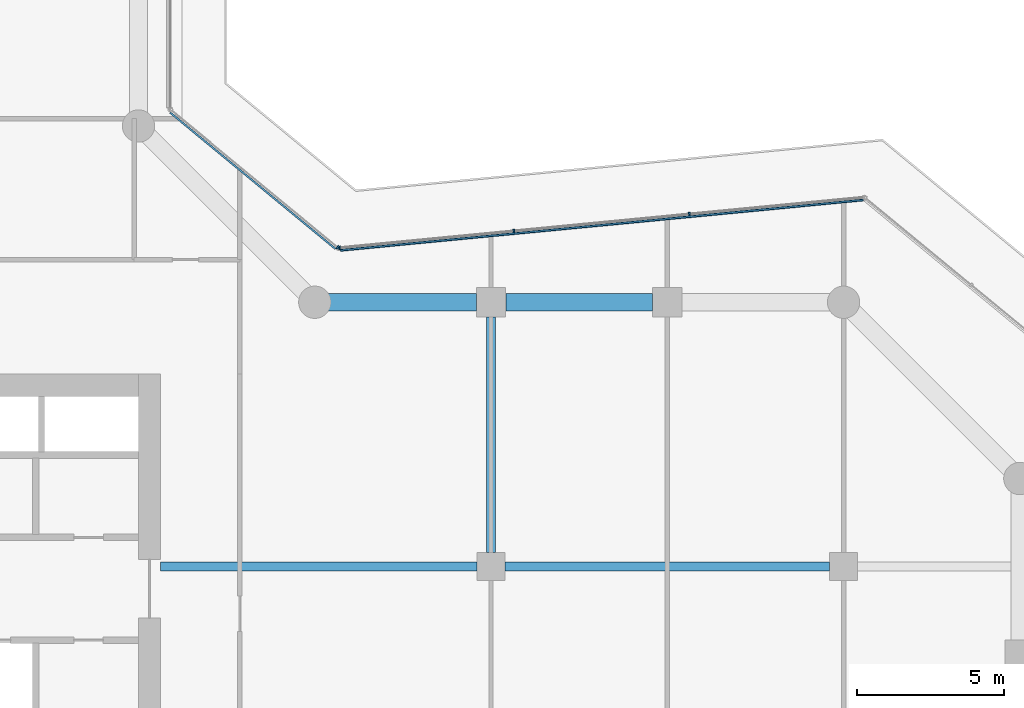
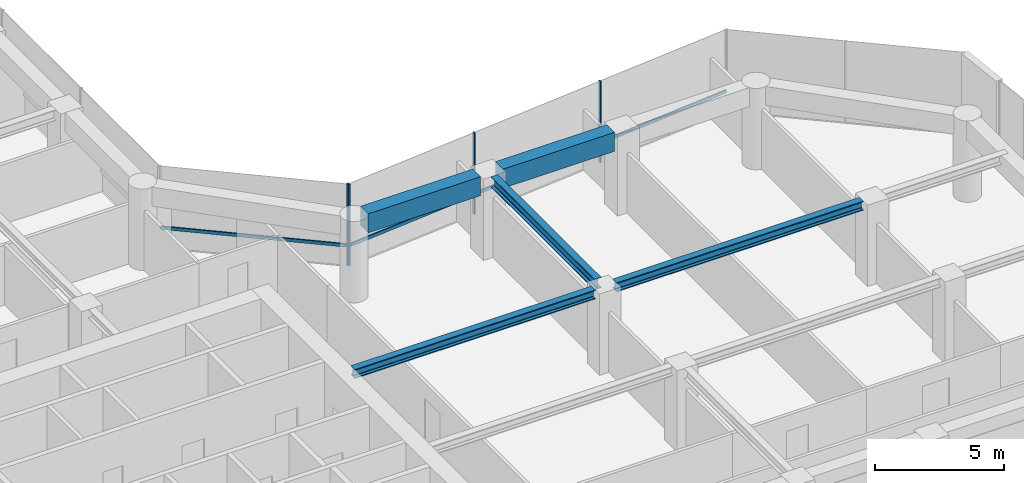
# One storey, part 8 of 28: 6 members, 5 beams, 2 elements without a shape of their own.
"""IFC4 building model written with IfcOpenShell, lengths in metres."""

from ifc_helpers import new_model, si_unit, direction, frame, origin, origin_2d, place, context, subcontext, project, spatial, rectangle, i_section, extrude, material, layer, layer_set, material_profile, profile_set, type_object, element, aggregate, save


model = new_model("IFC4")

# Units and contexts
model_context = context("Model", 3, precision=1e-05, world=origin(), true_north=direction((0.0, 1.0)))
body_context = subcontext(model_context, "Body", "Model", "MODEL_VIEW")
ifc_project = project(units=[si_unit("LENGTHUNIT", "METRE"), si_unit("AREAUNIT", "SQUARE_METRE"), si_unit("VOLUMEUNIT", "CUBIC_METRE"), si_unit("PLANEANGLEUNIT", "RADIAN"), si_unit("MASSUNIT", "GRAM", prefix="KILO")], contexts=[model_context])

# Site, building, storey
site_placement = place(None, origin())
site = spatial("IfcSite", under=ifc_project, at=site_placement, CompositionType="ELEMENT")
building_placement = place(site_placement, origin())
building = spatial("IfcBuilding", under=site, at=building_placement, Name="Welwitschia Terrace Campus", CompositionType="ELEMENT")
storey_placement = place(building_placement, frame((0.0, 0.0, 87.800048828125)))
storey = spatial("IfcBuildingStorey", under=building, at=storey_placement, Name="L19", CompositionType="ELEMENT", Elevation=87.800048828125)

# Beams
ifc_material_1 = material(Name="Steel S355", Category="steel")
ifc_material_profile_1 = material_profile(ifc_material_1, i_section(OverallWidth=0.306884765625, OverallDepth=0.431884765625, WebThickness=0.02099609375, FlangeThickness=0.0400390625, FilletRadius=0.027099609375, at=origin_2d()))
ifc_profile_set_1 = profile_set([ifc_material_profile_1], Name="Steel S355")
beam_type_1 = type_object("IfcBeamType", Name="Interior girder HE 400 M", PredefinedType="BEAM", material=ifc_profile_set_1)
beam_1_placement = place(storey_placement, frame((24.7509765625, 19.0, 3.634033203125), z_axis=(1.0, 0.0, 0.0), x_axis=(0.0, 1.0, 0.0)))
element("IfcBeam", 1, at=beam_1_placement, inside=storey, type_object=beam_type_1, Name="Girder GB3", PredefinedType="BEAM", context=body_context, shape_type="SweptSolid", body=[
    extrude(i_section(OverallWidth=0.306884765625, OverallDepth=0.431884765625, WebThickness=0.02099609375, FlangeThickness=0.0400390625, FilletRadius=0.027099609375, at=origin_2d()), origin(), (0.0, 0.0, 1.0), 10.7734375),
])
beam_2_placement = place(storey_placement, frame((36.4755859375, 19.0, 3.634033203125), z_axis=(1.0, 0.0, 0.0), x_axis=(0.0, 1.0, 0.0)))
element("IfcBeam", 2, at=beam_2_placement, inside=storey, type_object=beam_type_1, Name="Girder GB3", PredefinedType="BEAM", context=body_context, shape_type="SweptSolid", body=[
    extrude(i_section(OverallWidth=0.306884765625, OverallDepth=0.431884765625, WebThickness=0.02099609375, FlangeThickness=0.0400390625, FilletRadius=0.027099609375, at=origin_2d()), origin(), (0.0, 0.0, 1.0), 11.048828125),
])

# Curtain wall, members
ifc_material_2 = material(Name="Bronze anodised aluminium", Category="aluminium")
ifc_layer = layer(ifc_material_2, 0.1201171875)
ifc_layer_set = layer_set([ifc_layer], Name="Bronze anodised aluminium")
curtain_wall_type = type_object("IfcCurtainWallType", Name="Curtain wall CW2 tower 6000", PredefinedType="NOTDEFINED", material=ifc_layer_set)
curtain_wall_1_placement = place(storey_placement, origin())
curtain_wall_1 = element("IfcCurtainWall", 3, at=curtain_wall_1_placement, inside=storey, type_object=curtain_wall_type, Name="CW L19.9.0", PredefinedType="NOTDEFINED")
ifc_material_3 = material(Name="Bronze anodised aluminium", Category="aluminium")
ifc_material_profile_2 = material_profile(ifc_material_3, rectangle(XDim=0.1201171875, YDim=0.06005859375, at=origin_2d()))
ifc_profile_set_2 = profile_set([ifc_material_profile_2], Name="Bronze anodised aluminium")
member_type_1 = type_object("IfcMemberType", Name="Mullion 60x120", PredefinedType="MULLION", material=ifc_profile_set_2)
member_1_placement = place(storey_placement, frame((42.751220703125, 30.999755859375, 0.0), z_axis=(0.0, 0.0, 1.0), x_axis=(0.09584575252, -0.995396198367, 0.0)))
member_1 = element("IfcMember", 4, at=member_1_placement, type_object=member_type_1, Name="Mullion L19.9.0.1", PredefinedType="MULLION", context=body_context, shape_type="SweptSolid", body=[
    extrude(rectangle(XDim=0.1201171875, YDim=0.06005859375, at=origin_2d()), origin(), (0.0, 0.0, 1.0), 3.849853515625),
])
member_2_placement = place(storey_placement, frame((36.77880859375, 30.4248046875, 0.0), z_axis=(0.0, 0.0, 1.0), x_axis=(0.09584575252, -0.995396198367, 0.0)))
member_2 = element("IfcMember", 5, at=member_2_placement, type_object=member_type_1, Name="Mullion L19.9.0.2", PredefinedType="MULLION", context=body_context, shape_type="SweptSolid", body=[
    extrude(rectangle(XDim=0.1201171875, YDim=0.06005859375, at=origin_2d()), origin(), (0.0, 0.0, 1.0), 3.849853515625),
])
member_3_placement = place(storey_placement, frame((30.83642578125, 29.8525390625, 0.0), z_axis=(0.0, 0.0, 1.0), x_axis=(0.09584575252, -0.995396198367, 0.0)))
member_3 = element("IfcMember", 6, at=member_3_placement, type_object=member_type_1, Name="Mullion L19.9.0.3", PredefinedType="MULLION", context=body_context, shape_type="SweptSolid", body=[
    extrude(rectangle(XDim=0.1201171875, YDim=0.06005859375, at=origin_2d()), origin(), (0.0, 0.0, 1.0), 3.849853515625),
])

# Curtain wall, member
curtain_wall_2_placement = place(storey_placement, origin())
curtain_wall_2 = element("IfcCurtainWall", 7, at=curtain_wall_2_placement, inside=storey, type_object=curtain_wall_type, Name="CW L19.10.0", PredefinedType="NOTDEFINED")
member_4_placement = place(storey_placement, frame((30.783203125, 29.86865234375, 0.0), z_axis=(0.0, 0.0, 1.0), x_axis=(-0.636078220278, -0.771624583388, 0.0)))
member_4 = element("IfcMember", 8, at=member_4_placement, type_object=member_type_1, Name="Mullion L19.10.0.0", PredefinedType="MULLION", context=body_context, shape_type="SweptSolid", body=[
    extrude(rectangle(XDim=0.1201171875, YDim=0.06005859375, at=origin_2d()), origin(), (0.0, 0.0, 1.0), 3.849853515625),
])

# Beams
ifc_material_4 = material(Name="Steel S355", Category="steel")
ifc_material_profile_3 = material_profile(ifc_material_4, i_section(OverallWidth=0.300048828125, OverallDepth=0.5, WebThickness=0.014404296875, FlangeThickness=0.028076171875, FilletRadius=0.027099609375, at=origin_2d()))
ifc_profile_set_3 = profile_set([ifc_material_profile_3], Name="Steel S355")
beam_type_2 = type_object("IfcBeamType", Name="Primary beam HE 500 B", PredefinedType="BEAM", material=ifc_profile_set_3)
beam_3_placement = place(storey_placement, frame((36.0, 27.49951171875, 3.599853515625), z_axis=(0.0, -1.0, 0.0), x_axis=(1.0, 0.0, 0.0)))
element("IfcBeam", 9, at=beam_3_placement, inside=storey, type_object=beam_type_2, Name="Primary beam PB3", PredefinedType="BEAM", context=body_context, shape_type="SweptSolid", body=[
    extrude(i_section(OverallWidth=0.300048828125, OverallDepth=0.5, WebThickness=0.014404296875, FlangeThickness=0.028076171875, FilletRadius=0.027099609375, at=origin_2d()), origin(), (0.0, 0.0, 1.0), 8.02392578125),
])
ifc_material_5 = material(Name="Concrete C60/75", Category="concrete")
ifc_material_profile_4 = material_profile(ifc_material_5, rectangle(XDim=0.60009765625, YDim=0.89990234375, at=origin_2d()))
ifc_profile_set_4 = profile_set([ifc_material_profile_4], Name="Concrete C60/75")
beam_type_3 = type_object("IfcBeamType", Name="Ring spandrel 600x900", PredefinedType="SPANDREL", material=ifc_profile_set_4)
beam_4_placement = place(storey_placement, frame((41.49951171875, 28.0, 3.39990234375), z_axis=(-1.0, 0.0, 0.0), x_axis=(0.0, -1.0, 0.0)))
element("IfcBeam", 10, at=beam_4_placement, inside=storey, type_object=beam_type_3, Name="Spandrel SP2", PredefinedType="SPANDREL", context=body_context, shape_type="SweptSolid", body=[
    extrude(rectangle(XDim=0.60009765625, YDim=0.89990234375, at=origin_2d()), origin(), (0.0, 0.0, 1.0), 4.9990234375),
])
beam_5_placement = place(storey_placement, frame((35.49951171875, 28.0, 3.39990234375), z_axis=(-1.0, 0.0, 0.0), x_axis=(0.0, -1.0, 0.0)))
element("IfcBeam", 11, at=beam_5_placement, inside=storey, type_object=beam_type_3, Name="Spandrel SP2", PredefinedType="SPANDREL", context=body_context, shape_type="SweptSolid", body=[
    extrude(rectangle(XDim=0.60009765625, YDim=0.89990234375, at=origin_2d()), origin(), (0.0, 0.0, 1.0), 5.0380859375),
])

# Member
ifc_material_6 = material(Name="Bronze anodised aluminium", Category="aluminium")
ifc_material_profile_5 = material_profile(ifc_material_6, rectangle(XDim=0.06005859375, YDim=0.14990234375, at=origin_2d()))
ifc_profile_set_5 = profile_set([ifc_material_profile_5], Name="Bronze anodised aluminium")
member_type_2 = type_object("IfcMemberType", Name="Transom 60x150", PredefinedType="USERDEFINED", material=ifc_profile_set_5)
member_5_placement = place(storey_placement, frame((48.672607421875, 31.4794921875, 1.0), z_axis=(-0.995396812708, -0.095839372132, 0.0), x_axis=(0.095839372132, -0.995396812708, 0.0)))
member_5 = element("IfcMember", 12, at=member_5_placement, type_object=member_type_2, Name="Transom L19.9.0", ObjectType="TRANSOM", PredefinedType="USERDEFINED", context=body_context, shape_type="SweptSolid", body=[
    extrude(rectangle(XDim=0.06005859375, YDim=0.14990234375, at=origin_2d()), origin(), (0.0, 0.0, 1.0), 17.880126953125),
])

aggregate(curtain_wall_1, [member_1, member_2, member_3, member_5])

member_6_placement = place(storey_placement, frame((30.702880859375, 29.818359375, 1.0), z_axis=(-0.771618050628, 0.636086145067, 0.0), x_axis=(-0.636086145067, -0.771618050628, 0.0)))
member_6 = element("IfcMember", 13, at=member_6_placement, type_object=member_type_2, Name="Transom L19.10.0", ObjectType="TRANSOM", PredefinedType="USERDEFINED", context=body_context, shape_type="SweptSolid", body=[
    extrude(rectangle(XDim=0.06005859375, YDim=0.14990234375, at=origin_2d()), origin(), (0.0, 0.0, 1.0), 7.293701171875),
])

aggregate(curtain_wall_2, [member_4, member_6])

save(model, "model.ifc")
